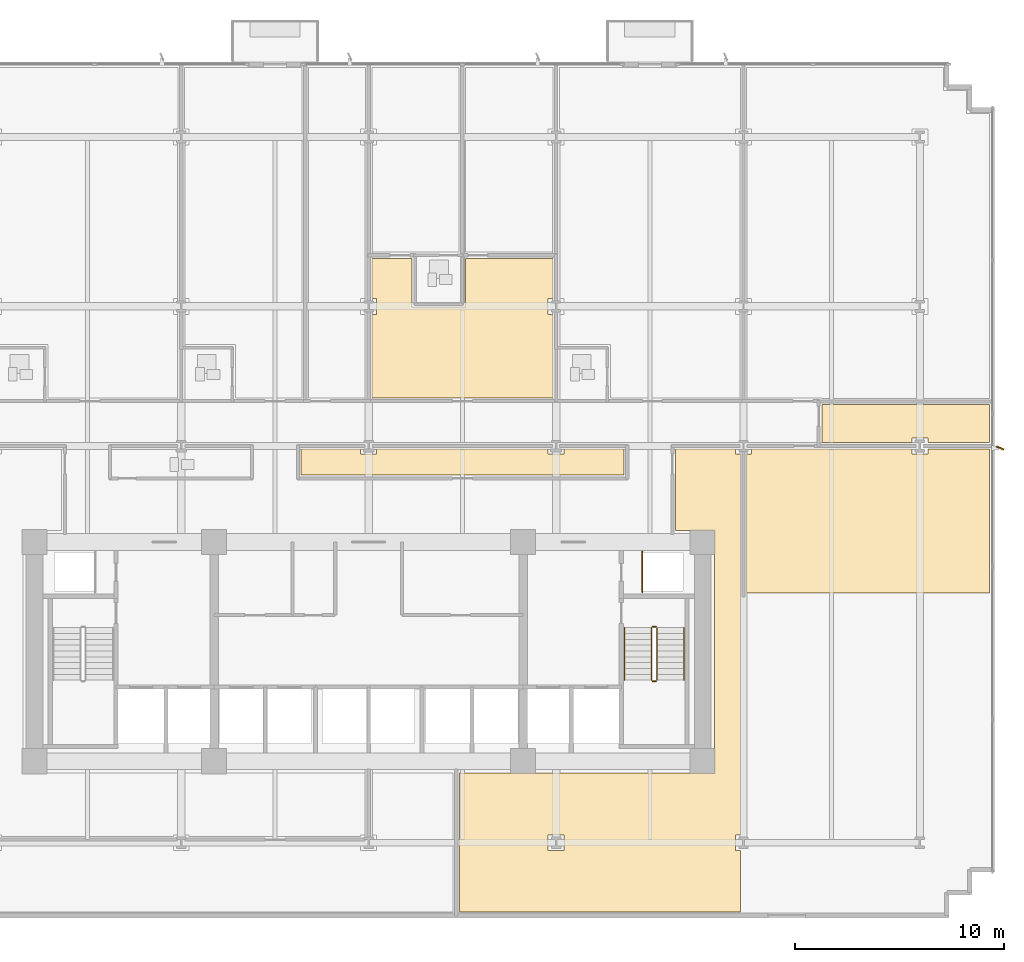
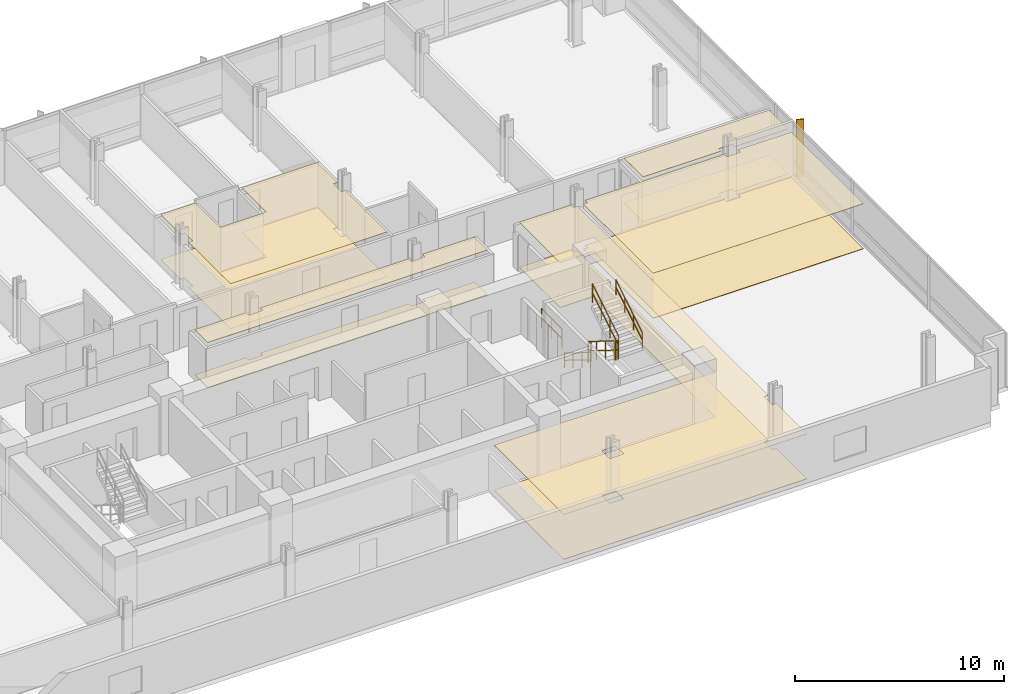
# One storey, part 13 of 16: 10 coverings, 7 railings, 1 shading device.
"""IFC4 building model written with IfcOpenShell, lengths in metres."""

from ifc_helpers import new_model, si_unit, direction, frame, origin, origin_2d, place, context, subcontext, project, spatial, polyline, rectangle, circle, outline, extrude, material, layer, layer_set, type_object, element, save


model = new_model("IFC4")

# Units and contexts
model_context = context("Model", 3, precision=1e-05, world=origin(), true_north=direction((0.0, 1.0)))
body_context = subcontext(model_context, "Body", "Model", "MODEL_VIEW")
ifc_project = project(units=[si_unit("LENGTHUNIT", "METRE"), si_unit("AREAUNIT", "SQUARE_METRE"), si_unit("VOLUMEUNIT", "CUBIC_METRE"), si_unit("PLANEANGLEUNIT", "RADIAN"), si_unit("MASSUNIT", "GRAM", prefix="KILO")], contexts=[model_context])

# Site, building, storey
site_placement = place(None, origin())
site = spatial("IfcSite", under=ifc_project, at=site_placement, CompositionType="ELEMENT")
building_placement = place(site_placement, origin())
building = spatial("IfcBuilding", under=site, at=building_placement, Name="Solmavex Isthmus Hotel", CompositionType="ELEMENT")
storey_placement = place(building_placement, frame((0.0, 0.0, 29.85009765625)))
storey = spatial("IfcBuildingStorey", under=building, at=storey_placement, Name="L07", CompositionType="ELEMENT", Elevation=29.85009765625)

# Coverings
ifc_material_1 = material(Name="Gypsum plasterboard lining", Category="gypsum")
ifc_layer_1 = layer(ifc_material_1, 0.030029296875)
ifc_layer_set_1 = layer_set([ifc_layer_1], Name="Gypsum plasterboard lining")
covering_type_1 = type_object("IfcCoveringType", Name="COV-CEIL-GYP", PredefinedType="CEILING", material=ifc_layer_set_1)
covering_1_placement = place(storey_placement, frame((0.0, 0.0, 2.619873046875)))
element("IfcCovering", 1, at=covering_1_placement, inside=storey, type_object=covering_type_1, Name="Suspended Acoustic Ceiling L07-ST05-FY", PredefinedType="CEILING", context=body_context, shape_type="SweptSolid", body=[
    extrude(outline(polyline([(8.821044921875, 8.407958984375), (8.595947265625, 8.407958984375), (8.595947265625, 9.16796875), (8.821044921875, 9.16796875), (8.821044921875, 11.0830078125), (4.64306640625, 11.0830078125), (4.64306640625, 8.73291015625), (2.0830078125, 8.73291015625), (2.0830078125, 11.0830078125), (0.155029296875, 11.0830078125), (0.155029296875, 9.16796875), (0.3798828125, 9.16796875), (0.3798828125, 8.407958984375), (0.155029296875, 8.407958984375), (0.155029296875, 4.405029296875), (8.821044921875, 4.405029296875), (8.821044921875, 8.407958984375)])), origin(), (0.0, 0.0, 1.0), 0.030029296875),
])
covering_2_placement = place(storey_placement, frame((0.0, 0.0, 2.619873046875)))
element("IfcCovering", 2, at=covering_2_placement, inside=storey, type_object=covering_type_1, Name="Suspended Acoustic Ceiling L07-FL10", PredefinedType="CEILING", context=body_context, shape_type="SweptSolid", body=[
    extrude(outline(polyline([(26.02001953125, 2.2548828125), (26.02001953125, 2.47998046875), (26.780029296875, 2.47998046875), (26.780029296875, 2.2548828125), (29.72509765625, 2.2548828125), (29.72509765625, 4.074951171875), (21.70703125, 4.074951171875), (21.70703125, 2.2548828125), (26.02001953125, 2.2548828125)])), origin(), (0.0, 0.0, 1.0), 0.030029296875),
])
covering_3_placement = place(storey_placement, frame((0.0, 0.0, 2.619873046875)))
element("IfcCovering", 3, at=covering_3_placement, inside=storey, type_object=covering_type_1, Name="Suspended Acoustic Ceiling L07-FL11", PredefinedType="CEILING", context=body_context, shape_type="SweptSolid", body=[
    extrude(outline(polyline([(0.3798828125, 1.945068359375), (0.3798828125, 1.719970703125), (-0.3798828125, 1.719970703125), (-0.3798828125, 1.945068359375), (-3.23291015625, 1.945068359375), (-3.23291015625, 0.705078125), (12.22900390625, 0.705078125), (12.22900390625, 1.945068359375), (9.35595703125, 1.945068359375), (9.35595703125, 1.719970703125), (8.595947265625, 1.719970703125), (8.595947265625, 1.945068359375), (0.3798828125, 1.945068359375)])), origin(), (0.0, 0.0, 1.0), 0.030029296875),
])
covering_4_placement = place(storey_placement, frame((0.0, 0.0, 2.619873046875)))
element("IfcCovering", 4, at=covering_4_placement, inside=storey, type_object=covering_type_1, Name="Suspended Acoustic Ceiling L07-FL13", PredefinedType="CEILING", context=body_context, shape_type="SweptSolid", body=[
    extrude(outline(polyline([(26.780029296875, 1.945068359375), (26.780029296875, 1.719970703125), (26.02001953125, 1.719970703125), (26.02001953125, 1.945068359375), (18.33203125, 1.945068359375), (18.33203125, 1.719970703125), (18.10693359375, 1.719970703125), (18.10693359375, -4.945068359375), (29.72509765625, -4.945068359375), (29.72509765625, 1.945068359375), (26.780029296875, 1.945068359375)])), origin(), (0.0, 0.0, 1.0), 0.030029296875),
])
covering_5_placement = place(storey_placement, frame((0.0, 0.0, 2.619873046875)))
element("IfcCovering", 5, at=covering_5_placement, inside=storey, type_object=covering_type_1, Name="Suspended Acoustic Ceiling L07-FL15", PredefinedType="CEILING", context=body_context, shape_type="SweptSolid", body=[
    extrude(outline(polyline([(17.797119140625, 1.719970703125), (17.572021484375, 1.719970703125), (17.572021484375, 1.945068359375), (14.698974609375, 1.945068359375), (14.698974609375, -1.945068359375), (16.554931640625, -1.945068359375), (16.554931640625, -13.554931640625), (4.35498046875, -13.554931640625), (4.35498046875, -20.22509765625), (17.797119140625, -20.22509765625), (17.797119140625, -17.280029296875), (17.572021484375, -17.280029296875), (17.572021484375, -16.52001953125), (17.797119140625, -16.52001953125), (17.797119140625, 1.719970703125)]), holes=[polyline([(8.595947265625, -17.280029296875), (8.595947265625, -16.52001953125), (9.35595703125, -16.52001953125), (9.35595703125, -17.280029296875), (8.595947265625, -17.280029296875)])]), origin(), (0.0, 0.0, 1.0), 0.030029296875),
])
ifc_material_2 = material(Name="Travertine natural stone", Category="masonry")
ifc_layer_2 = layer(ifc_material_2, 0.02490234375)
ifc_layer_set_2 = layer_set([ifc_layer_2], Name="Travertine natural stone")
covering_type_2 = type_object("IfcCoveringType", Name="COV-FLOR-STN", PredefinedType="FLOORING", material=ifc_layer_set_2)
covering_6_placement = place(storey_placement, origin())
element("IfcCovering", 6, at=covering_6_placement, inside=storey, type_object=covering_type_2, Name="Stone and Timber Floor Finish L07-ST05-FY", PredefinedType="FLOORING", context=body_context, shape_type="SweptSolid", body=[
    extrude(outline(polyline([(8.821044921875, 8.407958984375), (8.595947265625, 8.407958984375), (8.595947265625, 9.16796875), (8.821044921875, 9.16796875), (8.821044921875, 11.0830078125), (4.64306640625, 11.0830078125), (4.64306640625, 8.73291015625), (2.0830078125, 8.73291015625), (2.0830078125, 11.0830078125), (0.155029296875, 11.0830078125), (0.155029296875, 9.16796875), (0.3798828125, 9.16796875), (0.3798828125, 8.407958984375), (0.155029296875, 8.407958984375), (0.155029296875, 4.405029296875), (8.821044921875, 4.405029296875), (8.821044921875, 8.407958984375)])), origin(), (0.0, 0.0, 1.0), 0.02490234375),
])
covering_7_placement = place(storey_placement, origin())
element("IfcCovering", 7, at=covering_7_placement, inside=storey, type_object=covering_type_2, Name="Stone and Timber Floor Finish L07-FL10", PredefinedType="FLOORING", context=body_context, shape_type="SweptSolid", body=[
    extrude(outline(polyline([(26.02001953125, 2.2548828125), (26.02001953125, 2.47998046875), (26.780029296875, 2.47998046875), (26.780029296875, 2.2548828125), (29.72509765625, 2.2548828125), (29.72509765625, 4.074951171875), (21.70703125, 4.074951171875), (21.70703125, 2.2548828125), (26.02001953125, 2.2548828125)])), origin(), (0.0, 0.0, 1.0), 0.02490234375),
])
covering_8_placement = place(storey_placement, origin())
element("IfcCovering", 8, at=covering_8_placement, inside=storey, type_object=covering_type_2, Name="Stone and Timber Floor Finish L07-FL11", PredefinedType="FLOORING", context=body_context, shape_type="SweptSolid", body=[
    extrude(outline(polyline([(0.3798828125, 1.945068359375), (0.3798828125, 1.719970703125), (-0.3798828125, 1.719970703125), (-0.3798828125, 1.945068359375), (-3.23291015625, 1.945068359375), (-3.23291015625, 0.705078125), (12.22900390625, 0.705078125), (12.22900390625, 1.945068359375), (9.35595703125, 1.945068359375), (9.35595703125, 1.719970703125), (8.595947265625, 1.719970703125), (8.595947265625, 1.945068359375), (0.3798828125, 1.945068359375)])), origin(), (0.0, 0.0, 1.0), 0.02490234375),
])
covering_9_placement = place(storey_placement, origin())
element("IfcCovering", 9, at=covering_9_placement, inside=storey, type_object=covering_type_2, Name="Stone and Timber Floor Finish L07-FL13", PredefinedType="FLOORING", context=body_context, shape_type="SweptSolid", body=[
    extrude(outline(polyline([(26.780029296875, 1.945068359375), (26.780029296875, 1.719970703125), (26.02001953125, 1.719970703125), (26.02001953125, 1.945068359375), (18.33203125, 1.945068359375), (18.33203125, 1.719970703125), (18.10693359375, 1.719970703125), (18.10693359375, -4.945068359375), (29.72509765625, -4.945068359375), (29.72509765625, 1.945068359375), (26.780029296875, 1.945068359375)])), origin(), (0.0, 0.0, 1.0), 0.02490234375),
])
covering_10_placement = place(storey_placement, origin())
element("IfcCovering", 10, at=covering_10_placement, inside=storey, type_object=covering_type_2, Name="Stone and Timber Floor Finish L07-FL15", PredefinedType="FLOORING", context=body_context, shape_type="SweptSolid", body=[
    extrude(outline(polyline([(17.797119140625, 1.719970703125), (17.572021484375, 1.719970703125), (17.572021484375, 1.945068359375), (14.698974609375, 1.945068359375), (14.698974609375, -1.945068359375), (16.554931640625, -1.945068359375), (16.554931640625, -13.554931640625), (4.35498046875, -13.554931640625), (4.35498046875, -20.22509765625), (17.797119140625, -20.22509765625), (17.797119140625, -17.280029296875), (17.572021484375, -17.280029296875), (17.572021484375, -16.52001953125), (17.797119140625, -16.52001953125), (17.797119140625, 1.719970703125)]), holes=[polyline([(8.595947265625, -17.280029296875), (8.595947265625, -16.52001953125), (9.35595703125, -16.52001953125), (9.35595703125, -17.280029296875), (8.595947265625, -17.280029296875)])]), origin(), (0.0, 0.0, 1.0), 0.02490234375),
])

# Railings
ifc_material_3 = material(Name="Clear low-E laminated glass", Category="glass")
ifc_layer_3 = layer(ifc_material_3, 0.080078125)
ifc_layer_set_3 = layer_set([ifc_layer_3], Name="Clear low-E laminated glass")
railing_type_1 = type_object("IfcRailingType", Name="RAIL-ATRIUM-1120", PredefinedType="BALUSTRADE", material=ifc_layer_set_3)
railing_1_placement = place(storey_placement, frame((13.10009765625, -4.89990234375, 0.0)))
element("IfcRailing", 11, at=railing_1_placement, inside=storey, type_object=railing_type_1, Name="Guardrail Balustrade L07-RSE-01", PredefinedType="BALUSTRADE", context=body_context, shape_type="SweptSolid", body=[
    extrude(circle(Radius=0.02392578125, at=origin_2d()), frame((0.0, 0.0, 1.1259765625), z_axis=(0.0, 1.0, 0.0), x_axis=(-1.0, 0.0, 0.0)), (0.0, 0.0, 1.0), 1.949951171875),
    extrude(circle(Radius=0.02392578125, at=origin_2d()), frame((0.0, 0.0, 0.574951171875), z_axis=(0.0, 1.0, 0.0), x_axis=(-1.0, 0.0, 0.0)), (0.0, 0.0, 1.0), 1.949951171875),
    extrude(circle(Radius=0.02099609375, at=origin_2d()), origin(), (0.0, 0.0, 1.0), 1.101806640625),
    extrude(circle(Radius=0.02099609375, at=origin_2d()), frame((0.0, 0.97509765625, 0.0)), (0.0, 0.0, 1.0), 1.101806640625),
    extrude(circle(Radius=0.02099609375, at=origin_2d()), frame((0.0, 1.949951171875, 0.0)), (0.0, 0.0, 1.0), 1.101806640625),
])
ifc_material_4 = material(Name="Stainless steel 316", Category="steel")
ifc_layer_4 = layer(ifc_material_4, 0.06005859375)
ifc_layer_set_4 = layer_set([ifc_layer_4], Name="Stainless steel 316")
railing_type_2 = type_object("IfcRailingType", Name="RAIL-STAIR-GD", PredefinedType="GUARDRAIL", material=ifc_layer_set_4)
railing_2_placement = place(storey_placement, frame((13.550048828125, -6.60009765625, 0.17236328125)))
element("IfcRailing", 12, at=railing_2_placement, inside=storey, type_object=railing_type_2, Name="L07 ST-2 stair guard 1", PredefinedType="GUARDRAIL", context=body_context, shape_type="SweptSolid", body=[
    extrude(circle(Radius=0.02392578125, at=origin_2d()), frame((0.0, 0.0, 1.09619140625), z_axis=(0.0, -0.851400495292, 0.524516154772), x_axis=(1.0, 0.0, 0.0)), (0.0, 0.0, 1.0), 2.9599609375),
    extrude(circle(Radius=0.02392578125, at=origin_2d()), frame((0.0, 0.0, 0.56005859375), z_axis=(0.0, -0.851400495292, 0.524516154772), x_axis=(1.0, 0.0, 0.0)), (0.0, 0.0, 1.0), 2.9599609375),
    extrude(circle(Radius=0.02099609375, at=origin_2d()), origin(), (0.0, 0.0, 1.0), 1.072021484375),
    extrude(circle(Radius=0.02099609375, at=origin_2d()), frame((0.0, -0.840087890625, 0.517578125)), (0.0, 0.0, 1.0), 1.072021484375),
    extrude(circle(Radius=0.02099609375, at=origin_2d()), frame((0.0, -1.679931640625, 1.034912109375)), (0.0, 0.0, 1.0), 1.072021484375),
    extrude(circle(Radius=0.02099609375, at=origin_2d()), frame((0.0, -2.52001953125, 1.552490234375)), (0.0, 0.0, 1.0), 1.072021484375),
])
railing_3_placement = place(storey_placement, frame((13.60009765625, -9.169921875, 1.724853515625)))
element("IfcRailing", 13, at=railing_3_placement, inside=storey, type_object=railing_type_2, Name="L07 ST-2 stair guard 2", PredefinedType="GUARDRAIL", context=body_context, shape_type="SweptSolid", body=[
    extrude(circle(Radius=0.02392578125, at=origin_2d()), frame((0.0, 0.0, 1.09619140625), z_axis=(1.0, 0.0, 0.0), x_axis=(0.0, 1.0, 0.0)), (0.0, 0.0, 1.0), 0.14990234375),
    extrude(circle(Radius=0.02392578125, at=origin_2d()), frame((0.0, 0.0, 0.56005859375), z_axis=(1.0, 0.0, 0.0), x_axis=(0.0, 1.0, 0.0)), (0.0, 0.0, 1.0), 0.14990234375),
    extrude(circle(Radius=0.02099609375, at=origin_2d()), origin(), (0.0, 0.0, 1.0), 1.072021484375),
    extrude(circle(Radius=0.02099609375, at=origin_2d()), frame((0.14990234375, 0.0, 0.0)), (0.0, 0.0, 1.0), 1.072021484375),
])
railing_4_placement = place(storey_placement, frame((13.800048828125, -9.1201171875, 1.8974609375)))
element("IfcRailing", 14, at=railing_4_placement, inside=storey, type_object=railing_type_2, Name="L07 ST-2 stair guard 3", PredefinedType="GUARDRAIL", context=body_context, shape_type="SweptSolid", body=[
    extrude(circle(Radius=0.02392578125, at=origin_2d()), frame((0.0, 0.0, 1.09619140625), z_axis=(0.0, 0.851400495292, 0.524516154772), x_axis=(-1.0, 0.0, 0.0)), (0.0, 0.0, 1.0), 2.9599609375),
    extrude(circle(Radius=0.02392578125, at=origin_2d()), frame((0.0, 0.0, 0.56005859375), z_axis=(0.0, 0.851400495292, 0.524516154772), x_axis=(-1.0, 0.0, 0.0)), (0.0, 0.0, 1.0), 2.9599609375),
    extrude(circle(Radius=0.02099609375, at=origin_2d()), origin(), (0.0, 0.0, 1.0), 1.072021484375),
    extrude(circle(Radius=0.02099609375, at=origin_2d()), frame((0.0, 0.840087890625, 0.517578125)), (0.0, 0.0, 1.0), 1.072021484375),
    extrude(circle(Radius=0.02099609375, at=origin_2d()), frame((0.0, 1.679931640625, 1.034912109375)), (0.0, 0.0, 1.0), 1.072021484375),
    extrude(circle(Radius=0.02099609375, at=origin_2d()), frame((0.0, 2.52001953125, 1.552490234375)), (0.0, 0.0, 1.0), 1.072021484375),
])
railing_5_placement = place(storey_placement, frame((13.60009765625, -6.550048828125, 0.0)))
element("IfcRailing", 15, at=railing_5_placement, inside=storey, type_object=railing_type_2, Name="L07 ST-2 stair guard 4", PredefinedType="GUARDRAIL", context=body_context, shape_type="SweptSolid", body=[
    extrude(circle(Radius=0.02392578125, at=origin_2d()), frame((0.0, 0.0, 1.09619140625), z_axis=(1.0, 0.0, 0.0), x_axis=(0.0, 1.0, 0.0)), (0.0, 0.0, 1.0), 0.14990234375),
    extrude(circle(Radius=0.02392578125, at=origin_2d()), frame((0.0, 0.0, 0.56005859375), z_axis=(1.0, 0.0, 0.0), x_axis=(0.0, 1.0, 0.0)), (0.0, 0.0, 1.0), 0.14990234375),
    extrude(circle(Radius=0.02099609375, at=origin_2d()), origin(), (0.0, 0.0, 1.0), 1.072021484375),
    extrude(circle(Radius=0.02099609375, at=origin_2d()), frame((0.14990234375, 0.0, 0.0)), (0.0, 0.0, 1.0), 1.072021484375),
])
ifc_layer_5 = layer(ifc_material_4, 0.050048828125)
ifc_layer_set_5 = layer_set([ifc_layer_5], Name="Stainless steel 316")
railing_type_3 = type_object("IfcRailingType", Name="RAIL-STAIR-HR", PredefinedType="HANDRAIL", material=ifc_layer_set_5)
railing_6_placement = place(storey_placement, frame((12.25, -6.60009765625, 0.17236328125)))
element("IfcRailing", 16, at=railing_6_placement, inside=storey, type_object=railing_type_3, Name="L07 ST-2 stair handrail 1", PredefinedType="HANDRAIL", context=body_context, shape_type="SweptSolid", body=[
    extrude(circle(Radius=0.02392578125, at=origin_2d()), frame((0.0, 0.0, 0.8759765625), z_axis=(0.0, -0.851400495292, 0.524516154772), x_axis=(1.0, 0.0, 0.0)), (0.0, 0.0, 1.0), 2.9599609375),
    extrude(circle(Radius=0.02392578125, at=origin_2d()), frame((0.0, 0.0, 0.449951171875), z_axis=(0.0, -0.851400495292, 0.524516154772), x_axis=(1.0, 0.0, 0.0)), (0.0, 0.0, 1.0), 2.9599609375),
    extrude(circle(Radius=0.02099609375, at=origin_2d()), origin(), (0.0, 0.0, 1.0), 0.851806640625),
    extrude(circle(Radius=0.02099609375, at=origin_2d()), frame((0.0, -0.840087890625, 0.517578125)), (0.0, 0.0, 1.0), 0.851806640625),
    extrude(circle(Radius=0.02099609375, at=origin_2d()), frame((0.0, -1.679931640625, 1.034912109375)), (0.0, 0.0, 1.0), 0.851806640625),
    extrude(circle(Radius=0.02099609375, at=origin_2d()), frame((0.0, -2.52001953125, 1.552490234375)), (0.0, 0.0, 1.0), 0.851806640625),
])
railing_7_placement = place(storey_placement, frame((15.10009765625, -9.1201171875, 1.8974609375)))
element("IfcRailing", 17, at=railing_7_placement, inside=storey, type_object=railing_type_3, Name="L07 ST-2 stair handrail 2", PredefinedType="HANDRAIL", context=body_context, shape_type="SweptSolid", body=[
    extrude(circle(Radius=0.02392578125, at=origin_2d()), frame((0.0, 0.0, 0.8759765625), z_axis=(0.0, 0.851400495292, 0.524516154772), x_axis=(-1.0, 0.0, 0.0)), (0.0, 0.0, 1.0), 2.9599609375),
    extrude(circle(Radius=0.02392578125, at=origin_2d()), frame((0.0, 0.0, 0.449951171875), z_axis=(0.0, 0.851400495292, 0.524516154772), x_axis=(-1.0, 0.0, 0.0)), (0.0, 0.0, 1.0), 2.9599609375),
    extrude(circle(Radius=0.02099609375, at=origin_2d()), origin(), (0.0, 0.0, 1.0), 0.851806640625),
    extrude(circle(Radius=0.02099609375, at=origin_2d()), frame((0.0, 0.840087890625, 0.517578125)), (0.0, 0.0, 1.0), 0.851806640625),
    extrude(circle(Radius=0.02099609375, at=origin_2d()), frame((0.0, 1.679931640625, 1.034912109375)), (0.0, 0.0, 1.0), 0.851806640625),
    extrude(circle(Radius=0.02099609375, at=origin_2d()), frame((0.0, 2.52001953125, 1.552490234375)), (0.0, 0.0, 1.0), 0.851806640625),
])

# Shading device
ifc_material_5 = material(Name="Aluminium alloy 6063-T6", Category="aluminium")
shading_device_type = type_object("IfcShadingDeviceType", Name="SHD-FIN-CHAMP", PredefinedType="USERDEFINED", material=ifc_material_5)
shading_device_placement = place(storey_placement, frame((30.239990234375, 2.0, -0.14013671875), z_axis=(0.0, 0.0, 1.0), x_axis=(0.913545457643, -0.406736643076, 0.0)))
element("IfcShadingDevice", 18, at=shading_device_placement, inside=storey, type_object=shading_device_type, Name="Anodised Aluminium Solar Fin L07-E1", ObjectType="SOLAR_FIN", PredefinedType="USERDEFINED", context=body_context, shape_type="SweptSolid", body=[
    extrude(rectangle(XDim=0.3798828125, YDim=0.070068359375, at=origin_2d()), origin(), (0.0, 0.0, 1.0), 3.330078125),
])

save(model, "model.ifc")
